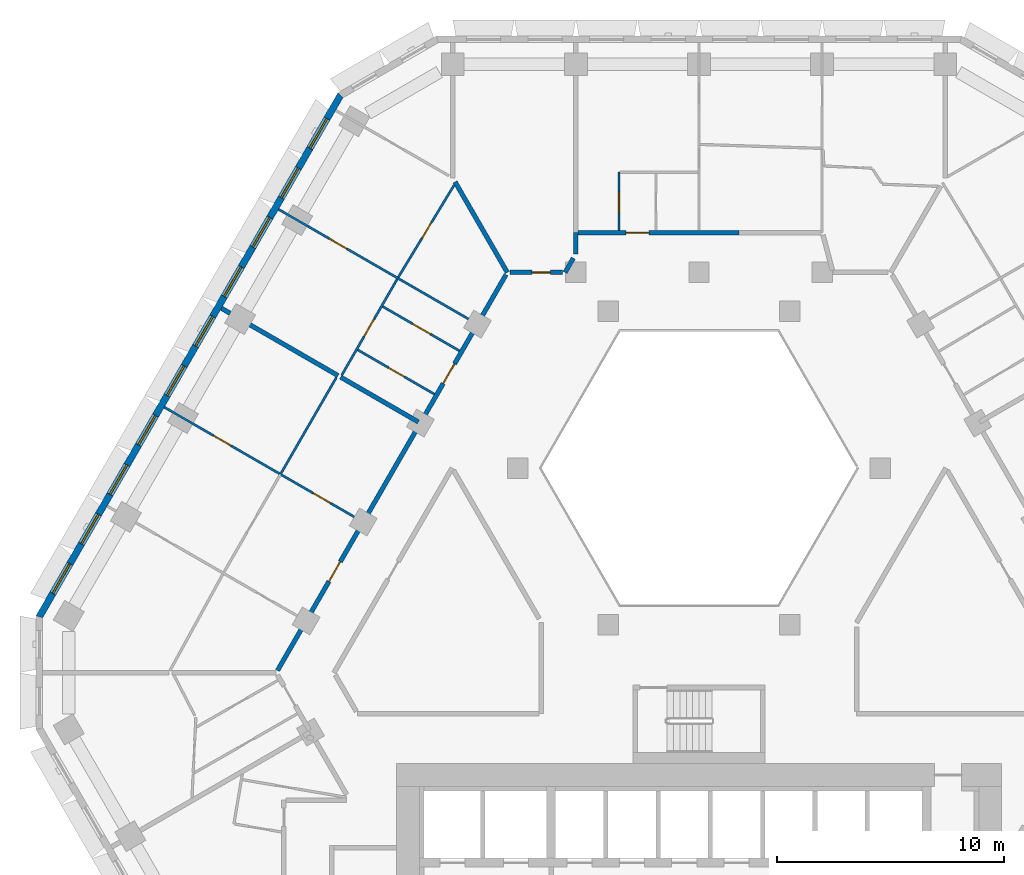
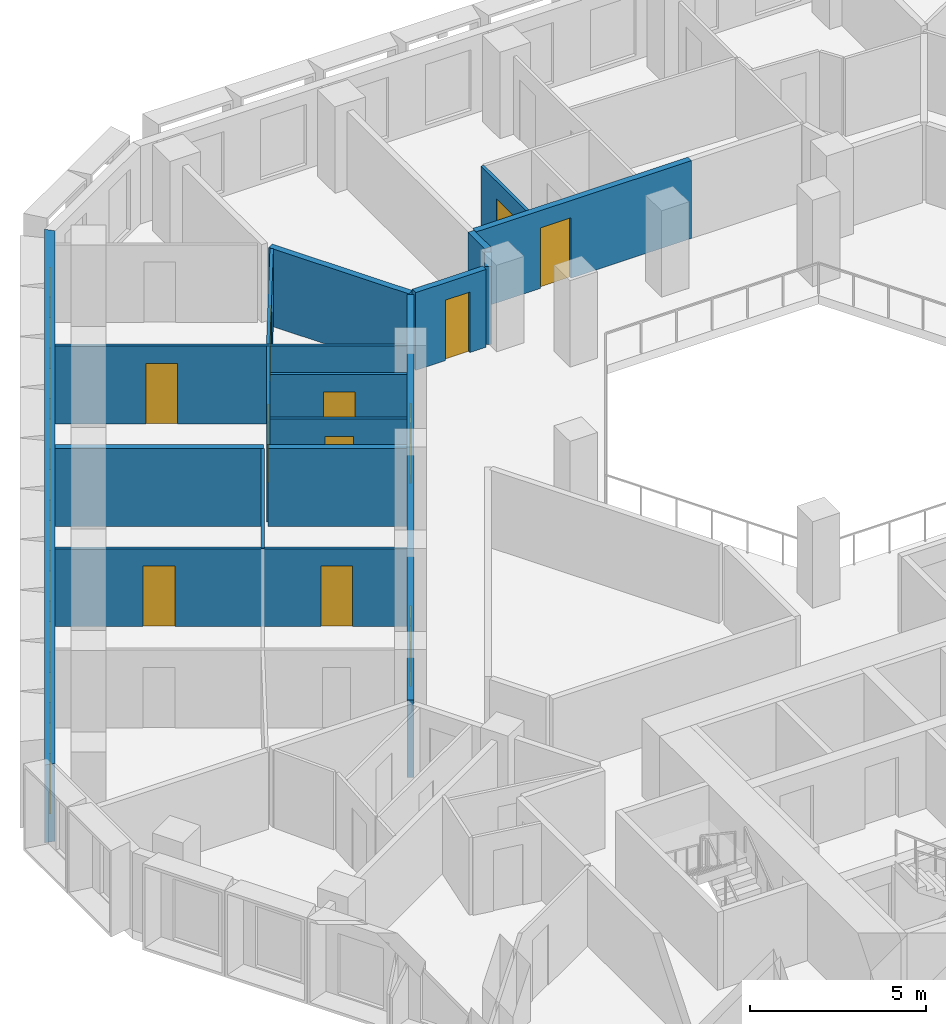
# One storey, part 8 of 18: 17 walls, 12 doors, 10 windows, 22 openings.
"""IFC4 building model written with IfcOpenShell, lengths in metres."""

from ifc_helpers import new_model, si_unit, direction, frame, frame_2d, origin, place, context, subcontext, project, spatial, polyline, rectangle, outline, extrude, material, layer, layer_set, type_object, element, fill, save


model = new_model("IFC4")

# Units and contexts
model_context = context("Model", 3, precision=1e-05, world=origin(), true_north=direction((0.0, 1.0)))
body_context = subcontext(model_context, "Body", "Model", "MODEL_VIEW")
ifc_project = project(units=[si_unit("LENGTHUNIT", "METRE"), si_unit("AREAUNIT", "SQUARE_METRE"), si_unit("VOLUMEUNIT", "CUBIC_METRE"), si_unit("PLANEANGLEUNIT", "RADIAN"), si_unit("MASSUNIT", "GRAM", prefix="KILO")], contexts=[model_context])

# Site, building, storey
site_placement = place(None, origin())
site = spatial("IfcSite", under=ifc_project, at=site_placement, CompositionType="ELEMENT")
building_placement = place(site_placement, origin())
building = spatial("IfcBuilding", under=site, at=building_placement, Name="Beryl Residences", CompositionType="ELEMENT")
storey_placement = place(building_placement, frame((0.0, 0.0, 99.0)))
storey = spatial("IfcBuildingStorey", under=building, at=storey_placement, Name="L30", CompositionType="ELEMENT", Elevation=99.0)

# Wall, openings, windows
ifc_material_1 = material(Name="Composite metal panel with mineral wool insulation")
ifc_layer_1 = layer(ifc_material_1, 0.300048828125)
ifc_layer_set_1 = layer_set([ifc_layer_1], Name="ES1 pale metal composite panel wall 300 mm")
wall_type_1 = type_object("IfcWallType", Name="ES1 pale metal composite panel wall 300 mm", PredefinedType="SOLIDWALL", material=ifc_layer_set_1)
wall_1_placement = place(storey_placement, frame((-15.7470703125, 24.425048828125, 0.0), z_axis=(0.0, 0.0, 1.0), x_axis=(-0.500027479704, -0.866009537788, 0.0)))
wall_1 = element("IfcWall", 1, at=wall_1_placement, inside=storey, type_object=wall_type_1, Name="ES1 external wall L30 NW", PredefinedType="SOLIDWALL", context=body_context, shape_type="SweptSolid", body=[
    extrude(outline(polyline([(0.0, -0.14990234375), (26.55859375, -0.14990234375), (26.478271484375, 0.14990234375), (0.080322265625, 0.14990234375), (0.0, -0.14990234375)])), origin(), (0.0, 0.0, 1.0), 2.699951171875),
])
opening_1_placement = place(wall_1_placement, frame((1.22705078125, 0.0, 0.14990234375)))
opening_1 = element("IfcOpeningElement", 2, at=opening_1_placement, cuts=wall_1, Name="Opening W1", PredefinedType="OPENING", context=body_context, shape_type="SweptSolid", body=[
    extrude(rectangle(XDim=1.5, YDim=2.10009765625, at=frame_2d((0.75, 1.050048828125))), frame((0.0, 0.159912109375, 0.0), z_axis=(0.0, -1.0, 0.0), x_axis=(1.0, 0.0, 0.0)), (0.0, 0.0, 1.0), 0.320068359375),
])
opening_2_placement = place(wall_1_placement, frame((3.739013671875, 0.0, 0.14990234375)))
opening_2 = element("IfcOpeningElement", 3, at=opening_2_placement, cuts=wall_1, Name="Opening W1", PredefinedType="OPENING", context=body_context, shape_type="SweptSolid", body=[
    extrude(rectangle(XDim=1.5, YDim=2.10009765625, at=frame_2d((0.75, 1.050048828125))), frame((0.0, 0.159912109375, 0.0), z_axis=(0.0, -1.0, 0.0), x_axis=(1.0, 0.0, 0.0)), (0.0, 0.0, 1.0), 0.320068359375),
])
opening_3_placement = place(wall_1_placement, frame((6.25, 0.0, 0.14990234375)))
opening_3 = element("IfcOpeningElement", 4, at=opening_3_placement, cuts=wall_1, Name="Opening W1", PredefinedType="OPENING", context=body_context, shape_type="SweptSolid", body=[
    extrude(rectangle(XDim=1.5, YDim=2.10009765625, at=frame_2d((0.75, 1.050048828125))), frame((0.0, 0.159912109375, 0.0), z_axis=(0.0, -1.0, 0.0), x_axis=(1.0, 0.0, 0.0)), (0.0, 0.0, 1.0), 0.320068359375),
])
opening_4_placement = place(wall_1_placement, frame((8.760986328125, 0.0, 0.14990234375)))
opening_4 = element("IfcOpeningElement", 5, at=opening_4_placement, cuts=wall_1, Name="Opening W1", PredefinedType="OPENING", context=body_context, shape_type="SweptSolid", body=[
    extrude(rectangle(XDim=1.5, YDim=2.10009765625, at=frame_2d((0.75, 1.050048828125))), frame((0.0, 0.159912109375, 0.0), z_axis=(0.0, -1.0, 0.0), x_axis=(1.0, 0.0, 0.0)), (0.0, 0.0, 1.0), 0.320068359375),
])
opening_5_placement = place(wall_1_placement, frame((11.27294921875, 0.0, 0.14990234375)))
opening_5 = element("IfcOpeningElement", 6, at=opening_5_placement, cuts=wall_1, Name="Opening W1", PredefinedType="OPENING", context=body_context, shape_type="SweptSolid", body=[
    extrude(rectangle(XDim=1.5, YDim=2.10009765625, at=frame_2d((0.75, 1.050048828125))), frame((0.0, 0.159912109375, 0.0), z_axis=(0.0, -1.0, 0.0), x_axis=(1.0, 0.0, 0.0)), (0.0, 0.0, 1.0), 0.320068359375),
])
opening_6_placement = place(wall_1_placement, frame((13.784912109375, 0.0, 0.14990234375)))
opening_6 = element("IfcOpeningElement", 7, at=opening_6_placement, cuts=wall_1, Name="Opening W1", PredefinedType="OPENING", context=body_context, shape_type="SweptSolid", body=[
    extrude(rectangle(XDim=1.5, YDim=2.10009765625, at=frame_2d((0.75, 1.050048828125))), frame((0.0, 0.159912109375, 0.0), z_axis=(0.0, -1.0, 0.0), x_axis=(1.0, 0.0, 0.0)), (0.0, 0.0, 1.0), 0.320068359375),
])
opening_7_placement = place(wall_1_placement, frame((16.2958984375, 0.0, 0.14990234375)))
opening_7 = element("IfcOpeningElement", 8, at=opening_7_placement, cuts=wall_1, Name="Opening W1", PredefinedType="OPENING", context=body_context, shape_type="SweptSolid", body=[
    extrude(rectangle(XDim=1.5, YDim=2.10009765625, at=frame_2d((0.75, 1.050048828125))), frame((0.0, 0.159912109375, 0.0), z_axis=(0.0, -1.0, 0.0), x_axis=(1.0, 0.0, 0.0)), (0.0, 0.0, 1.0), 0.320068359375),
])
opening_8_placement = place(wall_1_placement, frame((18.806884765625, 0.0, 0.14990234375)))
opening_8 = element("IfcOpeningElement", 9, at=opening_8_placement, cuts=wall_1, Name="Opening W1", PredefinedType="OPENING", context=body_context, shape_type="SweptSolid", body=[
    extrude(rectangle(XDim=1.5, YDim=2.10009765625, at=frame_2d((0.75, 1.050048828125))), frame((0.0, 0.159912109375, 0.0), z_axis=(0.0, -1.0, 0.0), x_axis=(1.0, 0.0, 0.0)), (0.0, 0.0, 1.0), 0.320068359375),
])
opening_9_placement = place(wall_1_placement, frame((21.319091796875, 0.0, 0.14990234375)))
opening_9 = element("IfcOpeningElement", 10, at=opening_9_placement, cuts=wall_1, Name="Opening W1", PredefinedType="OPENING", context=body_context, shape_type="SweptSolid", body=[
    extrude(rectangle(XDim=1.5, YDim=2.10009765625, at=frame_2d((0.75, 1.050048828125))), frame((0.0, 0.159912109375, 0.0), z_axis=(0.0, -1.0, 0.0), x_axis=(1.0, 0.0, 0.0)), (0.0, 0.0, 1.0), 0.320068359375),
])
opening_10_placement = place(wall_1_placement, frame((23.8310546875, 0.0, 0.14990234375)))
opening_10 = element("IfcOpeningElement", 11, at=opening_10_placement, cuts=wall_1, Name="Opening W1", PredefinedType="OPENING", context=body_context, shape_type="SweptSolid", body=[
    extrude(rectangle(XDim=1.5, YDim=2.10009765625, at=frame_2d((0.75, 1.050048828125))), frame((0.0, 0.159912109375, 0.0), z_axis=(0.0, -1.0, 0.0), x_axis=(1.0, 0.0, 0.0)), (0.0, 0.0, 1.0), 0.320068359375),
])
ifc_material_2 = material(Name="Aluminium and clear glass", Category="aluminium")
window_type = type_object("IfcWindowType", Name="W1 cell window 1500 x 2100 mm", PartitioningType="SINGLE_PANEL", PredefinedType="WINDOW", material=ifc_material_2)
window_1_placement = place(opening_1_placement, origin())
window_1 = element("IfcWindow", 12, at=window_1_placement, inside=storey, type_object=window_type, Name="W1 window L30 NW 1", OverallHeight=2.10009765625, OverallWidth=1.5, PartitioningType="SINGLE_PANEL", PredefinedType="WINDOW", context=body_context, shape_type="SweptSolid", body=[
    extrude(rectangle(XDim=1.5, YDim=2.10009765625, at=frame_2d((0.75, 1.050048828125))), frame((0.0, 0.030029296875, 0.0), z_axis=(0.0, -1.0, 0.0), x_axis=(1.0, 0.0, 0.0)), (0.0, 0.0, 1.0), 0.06005859375),
])
fill(opening_1, window_1)
window_2_placement = place(opening_2_placement, origin())
window_2 = element("IfcWindow", 13, at=window_2_placement, inside=storey, type_object=window_type, Name="W1 window L30 NW 2", OverallHeight=2.10009765625, OverallWidth=1.5, PartitioningType="SINGLE_PANEL", PredefinedType="WINDOW", context=body_context, shape_type="SweptSolid", body=[
    extrude(rectangle(XDim=1.5, YDim=2.10009765625, at=frame_2d((0.75, 1.050048828125))), frame((0.0, 0.030029296875, 0.0), z_axis=(0.0, -1.0, 0.0), x_axis=(1.0, 0.0, 0.0)), (0.0, 0.0, 1.0), 0.06005859375),
])
fill(opening_2, window_2)
window_3_placement = place(opening_3_placement, origin())
window_3 = element("IfcWindow", 14, at=window_3_placement, inside=storey, type_object=window_type, Name="W1 window L30 NW 3", OverallHeight=2.10009765625, OverallWidth=1.5, PartitioningType="SINGLE_PANEL", PredefinedType="WINDOW", context=body_context, shape_type="SweptSolid", body=[
    extrude(rectangle(XDim=1.5, YDim=2.10009765625, at=frame_2d((0.75, 1.050048828125))), frame((0.0, 0.030029296875, 0.0), z_axis=(0.0, -1.0, 0.0), x_axis=(1.0, 0.0, 0.0)), (0.0, 0.0, 1.0), 0.06005859375),
])
fill(opening_3, window_3)
window_4_placement = place(opening_4_placement, origin())
window_4 = element("IfcWindow", 15, at=window_4_placement, inside=storey, type_object=window_type, Name="W1 window L30 NW 4", OverallHeight=2.10009765625, OverallWidth=1.5, PartitioningType="SINGLE_PANEL", PredefinedType="WINDOW", context=body_context, shape_type="SweptSolid", body=[
    extrude(rectangle(XDim=1.5, YDim=2.10009765625, at=frame_2d((0.75, 1.050048828125))), frame((0.0, 0.030029296875, 0.0), z_axis=(0.0, -1.0, 0.0), x_axis=(1.0, 0.0, 0.0)), (0.0, 0.0, 1.0), 0.06005859375),
])
fill(opening_4, window_4)
window_5_placement = place(opening_5_placement, origin())
window_5 = element("IfcWindow", 16, at=window_5_placement, inside=storey, type_object=window_type, Name="W1 window L30 NW 5", OverallHeight=2.10009765625, OverallWidth=1.5, PartitioningType="SINGLE_PANEL", PredefinedType="WINDOW", context=body_context, shape_type="SweptSolid", body=[
    extrude(rectangle(XDim=1.5, YDim=2.10009765625, at=frame_2d((0.75, 1.050048828125))), frame((0.0, 0.030029296875, 0.0), z_axis=(0.0, -1.0, 0.0), x_axis=(1.0, 0.0, 0.0)), (0.0, 0.0, 1.0), 0.06005859375),
])
fill(opening_5, window_5)
window_6_placement = place(opening_6_placement, origin())
window_6 = element("IfcWindow", 17, at=window_6_placement, inside=storey, type_object=window_type, Name="W1 window L30 NW 6", OverallHeight=2.10009765625, OverallWidth=1.5, PartitioningType="SINGLE_PANEL", PredefinedType="WINDOW", context=body_context, shape_type="SweptSolid", body=[
    extrude(rectangle(XDim=1.5, YDim=2.10009765625, at=frame_2d((0.75, 1.050048828125))), frame((0.0, 0.030029296875, 0.0), z_axis=(0.0, -1.0, 0.0), x_axis=(1.0, 0.0, 0.0)), (0.0, 0.0, 1.0), 0.06005859375),
])
fill(opening_6, window_6)
window_7_placement = place(opening_7_placement, origin())
window_7 = element("IfcWindow", 18, at=window_7_placement, inside=storey, type_object=window_type, Name="W1 window L30 NW 7", OverallHeight=2.10009765625, OverallWidth=1.5, PartitioningType="SINGLE_PANEL", PredefinedType="WINDOW", context=body_context, shape_type="SweptSolid", body=[
    extrude(rectangle(XDim=1.5, YDim=2.10009765625, at=frame_2d((0.75, 1.050048828125))), frame((0.0, 0.030029296875, 0.0), z_axis=(0.0, -1.0, 0.0), x_axis=(1.0, 0.0, 0.0)), (0.0, 0.0, 1.0), 0.06005859375),
])
fill(opening_7, window_7)
window_8_placement = place(opening_8_placement, origin())
window_8 = element("IfcWindow", 19, at=window_8_placement, inside=storey, type_object=window_type, Name="W1 window L30 NW 8", OverallHeight=2.10009765625, OverallWidth=1.5, PartitioningType="SINGLE_PANEL", PredefinedType="WINDOW", context=body_context, shape_type="SweptSolid", body=[
    extrude(rectangle(XDim=1.5, YDim=2.10009765625, at=frame_2d((0.75, 1.050048828125))), frame((0.0, 0.030029296875, 0.0), z_axis=(0.0, -1.0, 0.0), x_axis=(1.0, 0.0, 0.0)), (0.0, 0.0, 1.0), 0.06005859375),
])
fill(opening_8, window_8)
window_9_placement = place(opening_9_placement, origin())
window_9 = element("IfcWindow", 20, at=window_9_placement, inside=storey, type_object=window_type, Name="W1 window L30 NW 9", OverallHeight=2.10009765625, OverallWidth=1.5, PartitioningType="SINGLE_PANEL", PredefinedType="WINDOW", context=body_context, shape_type="SweptSolid", body=[
    extrude(rectangle(XDim=1.5, YDim=2.10009765625, at=frame_2d((0.75, 1.050048828125))), frame((0.0, 0.030029296875, 0.0), z_axis=(0.0, -1.0, 0.0), x_axis=(1.0, 0.0, 0.0)), (0.0, 0.0, 1.0), 0.06005859375),
])
fill(opening_9, window_9)
window_10_placement = place(opening_10_placement, origin())
window_10 = element("IfcWindow", 21, at=window_10_placement, inside=storey, type_object=window_type, Name="W1 window L30 NW 10", OverallHeight=2.10009765625, OverallWidth=1.5, PartitioningType="SINGLE_PANEL", PredefinedType="WINDOW", context=body_context, shape_type="SweptSolid", body=[
    extrude(rectangle(XDim=1.5, YDim=2.10009765625, at=frame_2d((0.75, 1.050048828125))), frame((0.0, 0.030029296875, 0.0), z_axis=(0.0, -1.0, 0.0), x_axis=(1.0, 0.0, 0.0)), (0.0, 0.0, 1.0), 0.06005859375),
])
fill(opening_10, window_10)

# Wall, openings, doors
ifc_material_3 = material(Name="Gypsum board partition on steel studs", Category="steel")
ifc_layer_2 = layer(ifc_material_3, 0.10009765625)
ifc_layer_set_2 = layer_set([ifc_layer_2], Name="PT1 partition 100 mm gypsum board on steel studs")
wall_type_2 = type_object("IfcWallType", Name="PT1 partition 100 mm gypsum board on steel studs", PredefinedType="PARTITIONING", material=ifc_layer_set_2)
wall_2_placement = place(storey_placement, frame((-23.512939453125, 10.675048828125, 0.0), z_axis=(0.0, 0.0, 1.0), x_axis=(0.866041268327, -0.499972520799, 0.0)))
wall_2 = element("IfcWall", 22, at=wall_2_placement, inside=storey, type_object=wall_type_2, Name="Wall PT1 L30 020", PredefinedType="PARTITIONING", context=body_context, shape_type="SweptSolid", body=[
    extrude(rectangle(XDim=10.00048828125, YDim=0.10009765625, at=frame_2d((5.000244140625, 0.0))), origin(), (0.0, 0.0, 1.0), 2.699951171875),
])
opening_11_placement = place(wall_2_placement, frame((7.550048828125, 0.0, 0.0)))
opening_11 = element("IfcOpeningElement", 23, at=opening_11_placement, cuts=wall_2, Name="Opening D0752", PredefinedType="OPENING", context=body_context, shape_type="SweptSolid", body=[
    extrude(rectangle(XDim=0.89990234375, YDim=2.10009765625, at=frame_2d((0.449951171875, 1.050048828125))), frame((0.0, 0.06005859375, 0.0), z_axis=(0.0, -1.0, 0.0), x_axis=(1.0, 0.0, 0.0)), (0.0, 0.0, 1.0), 0.1201171875),
])
opening_12_placement = place(wall_2_placement, frame((2.5, 0.0, 0.0)))
opening_12 = element("IfcOpeningElement", 24, at=opening_12_placement, cuts=wall_2, Name="Opening D0754", PredefinedType="OPENING", context=body_context, shape_type="SweptSolid", body=[
    extrude(rectangle(XDim=0.89990234375, YDim=2.10009765625, at=frame_2d((0.449951171875, 1.050048828125))), frame((0.0, 0.06005859375, 0.0), z_axis=(0.0, -1.0, 0.0), x_axis=(1.0, 0.0, 0.0)), (0.0, 0.0, 1.0), 0.1201171875),
])
ifc_material_4 = material(Name="Timber door leaf", Category="wood")
door_type_1 = type_object("IfcDoorType", Name="D2 room door 900 x 2100 mm", OperationType="SINGLE_SWING_LEFT", PredefinedType="DOOR", material=ifc_material_4)
door_1_placement = place(opening_11_placement, origin())
door_1 = element("IfcDoor", 25, at=door_1_placement, inside=storey, type_object=door_type_1, Name="Door D0752 L30 001", OperationType="SINGLE_SWING_RIGHT", OverallHeight=2.10009765625, OverallWidth=0.89990234375, PredefinedType="DOOR", context=body_context, shape_type="SweptSolid", body=[
    extrude(rectangle(XDim=0.89990234375, YDim=2.10009765625, at=frame_2d((0.449951171875, 1.050048828125))), frame((0.0, 0.02490234375, 0.0), z_axis=(0.0, -1.0, 0.0), x_axis=(1.0, 0.0, 0.0)), (0.0, 0.0, 1.0), 0.050048828125),
])
fill(opening_11, door_1)
door_2_placement = place(opening_12_placement, origin())
door_2 = element("IfcDoor", 26, at=door_2_placement, inside=storey, type_object=door_type_1, Name="Door D0754 L30 001", OperationType="SINGLE_SWING_RIGHT", OverallHeight=2.10009765625, OverallWidth=0.89990234375, PredefinedType="DOOR", context=body_context, shape_type="SweptSolid", body=[
    extrude(rectangle(XDim=0.89990234375, YDim=2.10009765625, at=frame_2d((0.449951171875, 1.050048828125))), frame((0.0, 0.02490234375, 0.0), z_axis=(0.0, -1.0, 0.0), x_axis=(1.0, 0.0, 0.0)), (0.0, 0.0, 1.0), 0.050048828125),
])
fill(opening_12, door_2)

# Wall, opening, door
wall_3_placement = place(storey_placement, frame((-15.009033203125, 13.196044921875, 0.0), z_axis=(0.0, 0.0, 1.0), x_axis=(0.865916335424, -0.500188864377, 0.0)))
wall_3 = element("IfcWall", 27, at=wall_3_placement, inside=storey, type_object=wall_type_2, Name="Wall PT1 L30 022", PredefinedType="PARTITIONING", context=body_context, shape_type="SweptSolid", body=[
    extrude(rectangle(XDim=3.896484375, YDim=0.10009765625, at=frame_2d((1.9482421875, 0.0))), origin(), (0.0, 0.0, 1.0), 2.699951171875),
])
opening_13_placement = place(wall_3_placement, frame((1.572998046875, 0.0, 0.0)))
opening_13 = element("IfcOpeningElement", 28, at=opening_13_placement, cuts=wall_3, Name="Opening D0743", PredefinedType="OPENING", context=body_context, shape_type="SweptSolid", body=[
    extrude(rectangle(XDim=0.800048828125, YDim=2.10009765625, at=frame_2d((0.39990234375, 1.050048828125))), frame((0.0, 0.06005859375, 0.0), z_axis=(0.0, -1.0, 0.0), x_axis=(1.0, 0.0, 0.0)), (0.0, 0.0, 1.0), 0.1201171875),
])
ifc_material_5 = material(Name="Timber door leaf", Category="wood")
door_type_2 = type_object("IfcDoorType", Name="D3 bathroom door 800 x 2100 mm", OperationType="SINGLE_SWING_LEFT", PredefinedType="DOOR", material=ifc_material_5)
door_3_placement = place(opening_13_placement, origin())
door_3 = element("IfcDoor", 29, at=door_3_placement, inside=storey, type_object=door_type_2, Name="Door D0743 L30 001", OperationType="SINGLE_SWING_LEFT", OverallHeight=2.10009765625, OverallWidth=0.800048828125, PredefinedType="DOOR", context=body_context, shape_type="SweptSolid", body=[
    extrude(rectangle(XDim=0.800048828125, YDim=2.10009765625, at=frame_2d((0.39990234375, 1.050048828125))), frame((0.0, 0.02490234375, 0.0), z_axis=(0.0, -1.0, 0.0), x_axis=(1.0, 0.0, 0.0)), (0.0, 0.0, 1.0), 0.050048828125),
])
fill(opening_13, door_3)

wall_4_placement = place(storey_placement, frame((-13.908935546875, 15.10107421875, 0.0), z_axis=(0.0, 0.0, 1.0), x_axis=(0.866024880635, -0.500000906121, 0.0)))
wall_4 = element("IfcWall", 30, at=wall_4_placement, inside=storey, type_object=wall_type_2, Name="Wall PT1 L30 024", PredefinedType="PARTITIONING", context=body_context, shape_type="SweptSolid", body=[
    extrude(rectangle(XDim=3.89599609375, YDim=0.10009765625, at=frame_2d((1.947998046875, 0.0))), origin(), (0.0, 0.0, 1.0), 2.699951171875),
])
opening_14_placement = place(wall_4_placement, frame((1.52294921875, 0.0, 0.0)))
opening_14 = element("IfcOpeningElement", 31, at=opening_14_placement, cuts=wall_4, Name="Opening D0744", PredefinedType="OPENING", context=body_context, shape_type="SweptSolid", body=[
    extrude(rectangle(XDim=0.89990234375, YDim=2.10009765625, at=frame_2d((0.449951171875, 1.050048828125))), frame((0.0, 0.06005859375, 0.0), z_axis=(0.0, -1.0, 0.0), x_axis=(1.0, 0.0, 0.0)), (0.0, 0.0, 1.0), 0.1201171875),
])
door_4_placement = place(opening_14_placement, origin())
door_4 = element("IfcDoor", 32, at=door_4_placement, inside=storey, type_object=door_type_1, Name="Door D0744 L30 001", OperationType="SINGLE_SWING_RIGHT", OverallHeight=2.10009765625, OverallWidth=0.89990234375, PredefinedType="DOOR", context=body_context, shape_type="SweptSolid", body=[
    extrude(rectangle(XDim=0.89990234375, YDim=2.10009765625, at=frame_2d((0.449951171875, 1.050048828125))), frame((0.0, 0.02490234375, 0.0), z_axis=(0.0, -1.0, 0.0), x_axis=(1.0, 0.0, 0.0)), (0.0, 0.0, 1.0), 0.050048828125),
])
fill(opening_14, door_4)

wall_5_placement = place(storey_placement, frame((-18.489013671875, 19.375, 0.0), z_axis=(0.0, 0.0, 1.0), x_axis=(0.866016855193, -0.500014806302, 0.0)))
wall_5 = element("IfcWall", 33, at=wall_5_placement, inside=storey, type_object=wall_type_2, Name="Wall PT1 L30 025", PredefinedType="PARTITIONING", context=body_context, shape_type="SweptSolid", body=[
    extrude(rectangle(XDim=9.999755859375, YDim=0.10009765625, at=frame_2d((5.0, 0.0))), origin(), (0.0, 0.0, 1.0), 2.699951171875),
])
opening_15_placement = place(wall_5_placement, frame((2.576904296875, 0.0, 0.0)))
opening_15 = element("IfcOpeningElement", 34, at=opening_15_placement, cuts=wall_5, Name="Opening D0746", PredefinedType="OPENING", context=body_context, shape_type="SweptSolid", body=[
    extrude(rectangle(XDim=0.89990234375, YDim=2.10009765625, at=frame_2d((0.449951171875, 1.050048828125))), frame((0.0, 0.06005859375, 0.0), z_axis=(0.0, -1.0, 0.0), x_axis=(1.0, 0.0, 0.0)), (0.0, 0.0, 1.0), 0.1201171875),
])
door_5_placement = place(opening_15_placement, origin())
door_5 = element("IfcDoor", 35, at=door_5_placement, inside=storey, type_object=door_type_1, Name="Door D0746 L30 001", OperationType="SINGLE_SWING_RIGHT", OverallHeight=2.10009765625, OverallWidth=0.89990234375, PredefinedType="DOOR", context=body_context, shape_type="SweptSolid", body=[
    extrude(rectangle(XDim=0.89990234375, YDim=2.10009765625, at=frame_2d((0.449951171875, 1.050048828125))), frame((0.0, 0.02490234375, 0.0), z_axis=(0.0, -1.0, 0.0), x_axis=(1.0, 0.0, 0.0)), (0.0, 0.0, 1.0), 0.050048828125),
])
fill(opening_15, door_5)

wall_6_placement = place(storey_placement, frame((-13.220947265625, 16.39111328125, 0.0), z_axis=(0.0, 0.0, 1.0), x_axis=(0.518164725284, 0.855280841286, 0.0)))
wall_6 = element("IfcWall", 36, at=wall_6_placement, inside=storey, type_object=wall_type_2, Name="Wall PT1 L30 030", PredefinedType="PARTITIONING", context=body_context, shape_type="SweptSolid", body=[
    extrude(rectangle(XDim=4.739990234375, YDim=0.10009765625, at=frame_2d((2.3701171875, 0.0))), origin(), (0.0, 0.0, 1.0), 2.699951171875),
])
opening_16_placement = place(wall_6_placement, frame((2.001953125, 0.0, 0.0)))
opening_16 = element("IfcOpeningElement", 37, at=opening_16_placement, cuts=wall_6, Name="Opening D0748", PredefinedType="OPENING", context=body_context, shape_type="SweptSolid", body=[
    extrude(rectangle(XDim=0.800048828125, YDim=2.10009765625, at=frame_2d((0.39990234375, 1.050048828125))), frame((0.0, 0.06005859375, 0.0), z_axis=(0.0, -1.0, 0.0), x_axis=(1.0, 0.0, 0.0)), (0.0, 0.0, 1.0), 0.1201171875),
])
door_6_placement = place(opening_16_placement, origin())
door_6 = element("IfcDoor", 38, at=door_6_placement, inside=storey, type_object=door_type_2, Name="Door D0748 L30 001", OperationType="SINGLE_SWING_RIGHT", OverallHeight=2.10009765625, OverallWidth=0.800048828125, PredefinedType="DOOR", context=body_context, shape_type="SweptSolid", body=[
    extrude(rectangle(XDim=0.800048828125, YDim=2.10009765625, at=frame_2d((0.39990234375, 1.050048828125))), frame((0.0, 0.02490234375, 0.0), z_axis=(0.0, -1.0, 0.0), x_axis=(1.0, 0.0, 0.0)), (0.0, 0.0, 1.0), 0.050048828125),
])
fill(opening_16, door_6)

wall_7_placement = place(storey_placement, frame((-15.7080078125, 12.0849609375, 0.0), z_axis=(0.0, 0.0, 1.0), x_axis=(0.499943653708, 0.866057932887, 0.0)))
wall_7 = element("IfcWall", 39, at=wall_7_placement, inside=storey, type_object=wall_type_2, Name="Wall PT1 L30 031", PredefinedType="PARTITIONING", context=body_context, shape_type="SweptSolid", body=[
    extrude(rectangle(XDim=4.87255859375, YDim=0.10009765625, at=frame_2d((2.436279296875, 0.0))), origin(), (0.0, 0.0, 1.0), 2.699951171875),
])
opening_17_placement = place(wall_7_placement, frame((1.9619140625, 0.0, 0.0)))
opening_17 = element("IfcOpeningElement", 40, at=opening_17_placement, cuts=wall_7, Name="Opening D0745", PredefinedType="OPENING", context=body_context, shape_type="SweptSolid", body=[
    extrude(rectangle(XDim=0.89990234375, YDim=2.10009765625, at=frame_2d((0.449951171875, 1.050048828125))), frame((0.0, 0.06005859375, 0.0), z_axis=(0.0, -1.0, 0.0), x_axis=(1.0, 0.0, 0.0)), (0.0, 0.0, 1.0), 0.1201171875),
])
door_7_placement = place(opening_17_placement, origin())
door_7 = element("IfcDoor", 41, at=door_7_placement, inside=storey, type_object=door_type_1, Name="Door D0745 L30 001", OperationType="SINGLE_SWING_LEFT", OverallHeight=2.10009765625, OverallWidth=0.89990234375, PredefinedType="DOOR", context=body_context, shape_type="SweptSolid", body=[
    extrude(rectangle(XDim=0.89990234375, YDim=2.10009765625, at=frame_2d((0.449951171875, 1.050048828125))), frame((0.0, 0.02490234375, 0.0), z_axis=(0.0, -1.0, 0.0), x_axis=(1.0, 0.0, 0.0)), (0.0, 0.0, 1.0), 0.050048828125),
])
fill(opening_17, door_7)

wall_8_placement = place(storey_placement, frame((-3.51904296875, 18.449951171875, 0.0), z_axis=(0.0, 0.0, 1.0), x_axis=(0.0, 1.0, 0.0)))
wall_8 = element("IfcWall", 42, at=wall_8_placement, inside=storey, type_object=wall_type_2, Name="Wall PT1 L30 046", PredefinedType="PARTITIONING", context=body_context, shape_type="SweptSolid", body=[
    extrude(rectangle(XDim=2.55908203125, YDim=0.10009765625, at=frame_2d((1.279541015625, 0.0))), origin(), (0.0, 0.0, 1.0), 2.699951171875),
])
opening_18_placement = place(wall_8_placement, frame((0.780029296875, 0.0, 0.0)))
opening_18 = element("IfcOpeningElement", 43, at=opening_18_placement, cuts=wall_8, Name="Opening D0735", PredefinedType="OPENING", context=body_context, shape_type="SweptSolid", body=[
    extrude(rectangle(XDim=0.89990234375, YDim=2.10009765625, at=frame_2d((0.449951171875, 1.050048828125))), frame((0.0, 0.06005859375, 0.0), z_axis=(0.0, -1.0, 0.0), x_axis=(1.0, 0.0, 0.0)), (0.0, 0.0, 1.0), 0.1201171875),
])
door_8_placement = place(opening_18_placement, origin())
door_8 = element("IfcDoor", 44, at=door_8_placement, inside=storey, type_object=door_type_1, Name="Door D0735 L30 001", OperationType="SINGLE_SWING_LEFT", OverallHeight=2.10009765625, OverallWidth=0.89990234375, PredefinedType="DOOR", context=body_context, shape_type="SweptSolid", body=[
    extrude(rectangle(XDim=0.89990234375, YDim=2.10009765625, at=frame_2d((0.449951171875, 1.050048828125))), frame((0.0, 0.02490234375, 0.0), z_axis=(0.0, -1.0, 0.0), x_axis=(1.0, 0.0, 0.0)), (0.0, 0.0, 1.0), 0.050048828125),
])
fill(opening_18, door_8)

# Walls
wall_9_placement = place(storey_placement, frame((-18.403076171875, 7.72509765625, 0.0), z_axis=(0.0, 0.0, 1.0), x_axis=(0.499995794706, 0.866027831699, 0.0)))
element("IfcWall", 45, at=wall_9_placement, inside=storey, type_object=wall_type_2, Name="Wall PT1 L30 062", PredefinedType="PARTITIONING", context=body_context, shape_type="SweptSolid", body=[
    extrude(rectangle(XDim=4.92236328125, YDim=0.10009765625, at=frame_2d((2.461181640625, 0.0))), origin(), (0.0, 0.0, 1.0), 2.699951171875),
])
ifc_material_6 = material(Name="Acoustic double stud gypsum board wall")
ifc_layer_3 = layer(ifc_material_6, 0.199951171875)
ifc_layer_set_3 = layer_set([ifc_layer_3], Name="PT3 party wall 200 mm acoustic double stud")
wall_type_3 = type_object("IfcWallType", Name="PT3 party wall 200 mm acoustic double stud", PredefinedType="PARTITIONING", material=ifc_layer_set_3)
wall_10_placement = place(storey_placement, frame((-10.72705078125, 20.580078125, 0.0), z_axis=(0.0, 0.0, 1.0), x_axis=(0.500041272028, -0.866001574057, 0.0)))
element("IfcWall", 46, at=wall_10_placement, inside=storey, type_object=wall_type_3, Name="Wall PT3 L30 001", PredefinedType="PARTITIONING", context=body_context, shape_type="SweptSolid", body=[
    extrude(rectangle(XDim=4.595703125, YDim=0.199951171875, at=frame_2d((2.2978515625, 0.0))), origin(), (0.0, 0.0, 1.0), 2.699951171875),
])
wall_11_placement = place(storey_placement, frame((-21.0009765625, 15.02490234375, 0.0), z_axis=(0.0, 0.0, 1.0), x_axis=(0.866031754707, -0.499988999718, 0.0)))
element("IfcWall", 47, at=wall_11_placement, inside=storey, type_object=wall_type_3, Name="Wall PT3 L30 006", PredefinedType="PARTITIONING", context=body_context, shape_type="SweptSolid", body=[
    extrude(rectangle(XDim=5.920166015625, YDim=0.199951171875, at=frame_2d((2.9599609375, 0.0))), origin(), (0.0, 0.0, 1.0), 2.699951171875),
])
wall_12_placement = place(storey_placement, frame((-15.758056640625, 11.998046875, 0.0), z_axis=(0.0, 0.0, 1.0), x_axis=(0.865987741337, -0.5000652276, 0.0)))
element("IfcWall", 48, at=wall_12_placement, inside=storey, type_object=wall_type_3, Name="Wall PT3 L30 007", PredefinedType="PARTITIONING", context=body_context, shape_type="SweptSolid", body=[
    extrude(rectangle(XDim=3.94580078125, YDim=0.199951171875, at=frame_2d((1.972900390625, 0.0))), origin(), (0.0, 0.0, 1.0), 2.699951171875),
])

# Wall, opening, door
ifc_material_7 = material(Name="Double stud gypsum board wall")
ifc_layer_4 = layer(ifc_material_7, 0.199951171875)
ifc_layer_set_4 = layer_set([ifc_layer_4], Name="PT4 corridor wall 200 mm double stud")
wall_type_4 = type_object("IfcWallType", Name="PT4 corridor wall 200 mm double stud", PredefinedType="PARTITIONING", material=ifc_layer_set_4)
wall_13_placement = place(storey_placement, frame((-8.31396484375, 16.60009765625, 0.0), z_axis=(0.0, 0.0, 1.0), x_axis=(1.0, 0.0, 0.0)))
wall_13 = element("IfcWall", 49, at=wall_13_placement, inside=storey, type_object=wall_type_4, Name="Wall PT4 L30 019", PredefinedType="PARTITIONING", context=body_context, shape_type="SweptSolid", body=[
    extrude(rectangle(XDim=2.30908203125, YDim=0.199951171875, at=frame_2d((1.154541015625, 0.0))), origin(), (0.0, 0.0, 1.0), 2.699951171875),
])
opening_19_placement = place(wall_13_placement, frame((0.97705078125, 0.0, 0.0)))
opening_19 = element("IfcOpeningElement", 50, at=opening_19_placement, cuts=wall_13, Name="Opening D0741", PredefinedType="OPENING", context=body_context, shape_type="SweptSolid", body=[
    extrude(rectangle(XDim=0.800048828125, YDim=2.10009765625, at=frame_2d((0.39990234375, 1.050048828125))), frame((0.0, 0.10986328125, 0.0), z_axis=(0.0, -1.0, 0.0), x_axis=(1.0, 0.0, 0.0)), (0.0, 0.0, 1.0), 0.219970703125),
])
door_9_placement = place(opening_19_placement, origin())
door_9 = element("IfcDoor", 51, at=door_9_placement, inside=storey, type_object=door_type_2, Name="Door D0741 L30 001", OperationType="SINGLE_SWING_LEFT", OverallHeight=2.10009765625, OverallWidth=0.800048828125, PredefinedType="DOOR", context=body_context, shape_type="SweptSolid", body=[
    extrude(rectangle(XDim=0.800048828125, YDim=2.10009765625, at=frame_2d((0.39990234375, 1.050048828125))), frame((0.0, 0.02490234375, 0.0), z_axis=(0.0, -1.0, 0.0), x_axis=(1.0, 0.0, 0.0)), (0.0, 0.0, 1.0), 0.050048828125),
])
fill(opening_19, door_9)

wall_14_placement = place(storey_placement, frame((-5.31396484375, 18.35009765625, 0.0), z_axis=(0.0, 0.0, 1.0), x_axis=(1.0, 0.0, 0.0)))
wall_14 = element("IfcWall", 52, at=wall_14_placement, inside=storey, type_object=wall_type_4, Name="Wall PT4 L30 022", PredefinedType="PARTITIONING", context=body_context, shape_type="SweptSolid", body=[
    extrude(rectangle(XDim=7.06201171875, YDim=0.199951171875, at=frame_2d((3.531005859375, 0.0))), origin(), (0.0, 0.0, 1.0), 2.699951171875),
])
opening_20_placement = place(wall_14_placement, frame((2.10595703125, 0.0, 0.0)))
opening_20 = element("IfcOpeningElement", 53, at=opening_20_placement, cuts=wall_14, Name="Opening D0734", PredefinedType="OPENING", context=body_context, shape_type="SweptSolid", body=[
    extrude(rectangle(XDim=1.0, YDim=2.10009765625, at=frame_2d((0.5, 1.050048828125))), frame((0.0, 0.10986328125, 0.0), z_axis=(0.0, -1.0, 0.0), x_axis=(1.0, 0.0, 0.0)), (0.0, 0.0, 1.0), 0.219970703125),
])
ifc_material_8 = material(Name="Timber door leaf", Category="wood")
door_type_3 = type_object("IfcDoorType", Name="D1 flat entrance door 1000 x 2100 mm", OperationType="SINGLE_SWING_LEFT", PredefinedType="DOOR", material=ifc_material_8)
door_10_placement = place(opening_20_placement, origin())
door_10 = element("IfcDoor", 54, at=door_10_placement, inside=storey, type_object=door_type_3, Name="Door D0734 L30 001", OperationType="SINGLE_SWING_RIGHT", OverallHeight=2.10009765625, OverallWidth=1.0, PredefinedType="DOOR", context=body_context, shape_type="SweptSolid", body=[
    extrude(rectangle(XDim=1.0, YDim=2.10009765625, at=frame_2d((0.5, 1.050048828125))), frame((0.0, 0.02490234375, 0.0), z_axis=(0.0, -1.0, 0.0), x_axis=(1.0, 0.0, 0.0)), (0.0, 0.0, 1.0), 0.050048828125),
])
fill(opening_20, door_10)

# Wall
wall_15_placement = place(storey_placement, frame((-5.888916015625, 16.60009765625, 0.0), z_axis=(0.0, 0.0, 1.0), x_axis=(0.499839240638, 0.866118198353, 0.0)))
element("IfcWall", 55, at=wall_15_placement, inside=storey, type_object=wall_type_4, Name="Wall PT4 L30 027", PredefinedType="PARTITIONING", context=body_context, shape_type="SweptSolid", body=[
    extrude(rectangle(XDim=0.723876953125, YDim=0.199951171875, at=frame_2d((0.36181640625, 0.0))), origin(), (0.0, 0.0, 1.0), 2.699951171875),
])

# Wall, openings, doors
wall_16_placement = place(storey_placement, frame((-18.532958984375, -0.90087890625, 0.0), z_axis=(0.0, 0.0, 1.0), x_axis=(0.499981198768, 0.866036258409, 0.0)))
wall_16 = element("IfcWall", 56, at=wall_16_placement, inside=storey, type_object=wall_type_4, Name="Wall PT4 L30 028", PredefinedType="PARTITIONING", context=body_context, shape_type="SweptSolid", body=[
    extrude(rectangle(XDim=20.092529296875, YDim=0.199951171875, at=frame_2d((10.04638671875, 0.0))), origin(), (0.0, 0.0, 1.0), 2.699951171875),
])
opening_21_placement = place(wall_16_placement, frame((14.570068359375, 0.0, 0.0)))
opening_21 = element("IfcOpeningElement", 57, at=opening_21_placement, cuts=wall_16, Name="Opening D0742", PredefinedType="OPENING", context=body_context, shape_type="SweptSolid", body=[
    extrude(rectangle(XDim=1.0, YDim=2.10009765625, at=frame_2d((0.5, 1.050048828125))), frame((0.0, 0.10986328125, 0.0), z_axis=(0.0, -1.0, 0.0), x_axis=(1.0, 0.0, 0.0)), (0.0, 0.0, 1.0), 0.219970703125),
])
opening_22_placement = place(wall_16_placement, frame((4.52294921875, 0.0, 0.0)))
opening_22 = element("IfcOpeningElement", 58, at=opening_22_placement, cuts=wall_16, Name="Opening D0749", PredefinedType="OPENING", context=body_context, shape_type="SweptSolid", body=[
    extrude(rectangle(XDim=1.0, YDim=2.10009765625, at=frame_2d((0.5, 1.050048828125))), frame((0.0, 0.10986328125, 0.0), z_axis=(0.0, -1.0, 0.0), x_axis=(1.0, 0.0, 0.0)), (0.0, 0.0, 1.0), 0.219970703125),
])
door_11_placement = place(opening_21_placement, origin())
door_11 = element("IfcDoor", 59, at=door_11_placement, inside=storey, type_object=door_type_3, Name="Door D0742 L30 001", OperationType="SINGLE_SWING_RIGHT", OverallHeight=2.10009765625, OverallWidth=1.0, PredefinedType="DOOR", context=body_context, shape_type="SweptSolid", body=[
    extrude(rectangle(XDim=1.0, YDim=2.10009765625, at=frame_2d((0.5, 1.050048828125))), frame((0.0, 0.02490234375, 0.0), z_axis=(0.0, -1.0, 0.0), x_axis=(1.0, 0.0, 0.0)), (0.0, 0.0, 1.0), 0.050048828125),
])
fill(opening_21, door_11)
door_12_placement = place(opening_22_placement, origin())
door_12 = element("IfcDoor", 60, at=door_12_placement, inside=storey, type_object=door_type_3, Name="Door D0749 L30 001", OperationType="SINGLE_SWING_LEFT", OverallHeight=2.10009765625, OverallWidth=1.0, PredefinedType="DOOR", context=body_context, shape_type="SweptSolid", body=[
    extrude(rectangle(XDim=1.0, YDim=2.10009765625, at=frame_2d((0.5, 1.050048828125))), frame((0.0, 0.02490234375, 0.0), z_axis=(0.0, -1.0, 0.0), x_axis=(1.0, 0.0, 0.0)), (0.0, 0.0, 1.0), 0.050048828125),
])
fill(opening_22, door_12)

# Wall
wall_17_placement = place(storey_placement, frame((-5.427001953125, 17.39990234375, 0.0), z_axis=(0.0, 0.0, 1.0), x_axis=(0.0, 1.0, 0.0)))
element("IfcWall", 61, at=wall_17_placement, inside=storey, type_object=wall_type_4, Name="Wall PT4 L30 031", PredefinedType="PARTITIONING", context=body_context, shape_type="SweptSolid", body=[
    extrude(rectangle(XDim=0.9501953125, YDim=0.199951171875, at=frame_2d((0.47509765625, 0.0))), origin(), (0.0, 0.0, 1.0), 2.699951171875),
])

save(model, "model.ifc")
